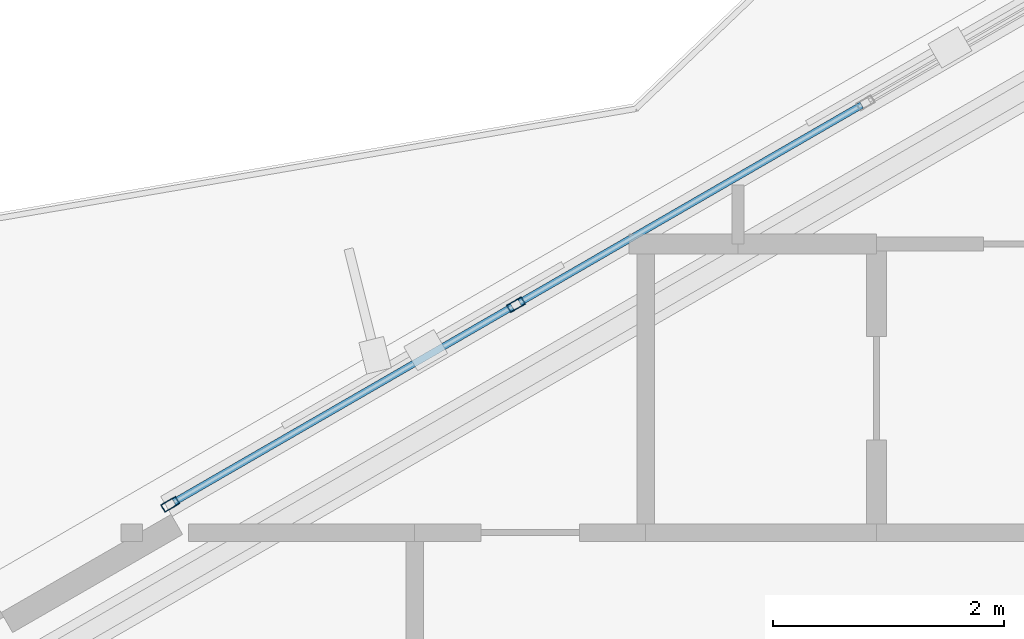
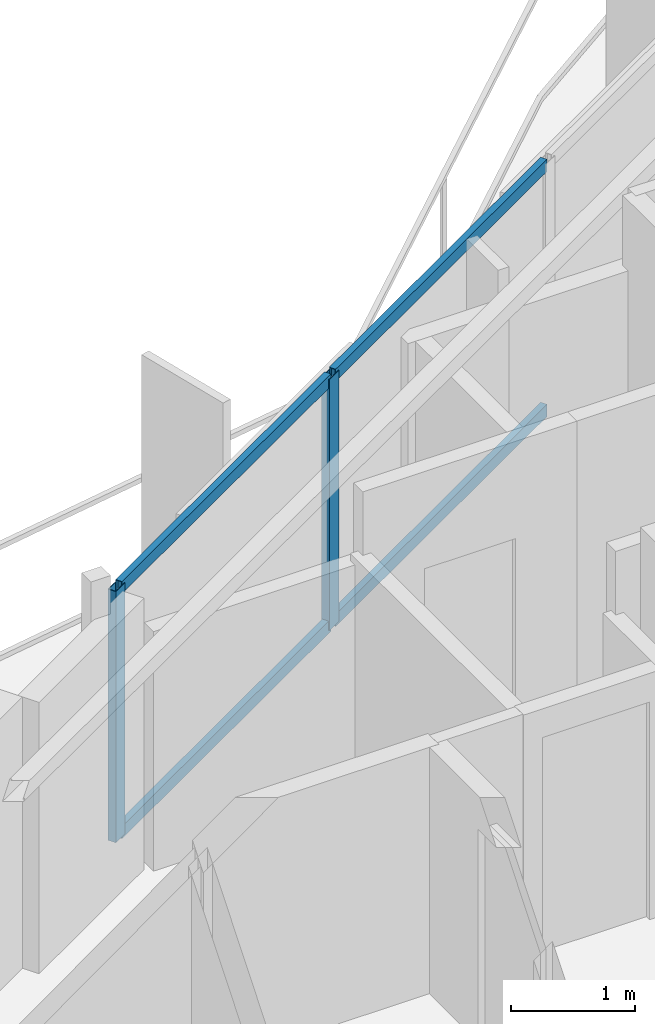
# One storey, part 5 of 18: 6 members, 1 element without a shape of its own.
"""IFC4 building model written with IfcOpenShell, lengths in metres."""

import ifcopenshell
import ifcopenshell.guid

model = None  # the IFC model being written
_history = None  # IfcOwnerHistory: only IFC2X3 demands one
_inside = {}  # id of a spatial element -> (the spatial element, [elements in it])
_under = {}  # id of a project, library or spatial element -> (it, [spatial elements below it])
_declared = {}  # id of a project -> (the project, [libraries it declares])
_typed = {}  # id of a type object -> (the type object, [elements of that type])
_made_of = {}  # id of a material, layer set ... -> (it, [elements and type objects made of it])


def new_model(schema):
    """Start an empty IFC model of exactly this schema.

    Asked for "IFC4X3", IfcOpenShell would pick the latest addendum, in which some entities
    have other attributes; the version numbers below select the first issue.
    IFC2X3 requires an IfcOwnerHistory on every rooted entity: one is made here for all.
    """
    global model, _history
    if schema == "IFC4X3":
        model = ifcopenshell.file(schema_version=(4, 3, 0, 0))
    else:
        model = ifcopenshell.file(schema=schema)
    _inside.clear()
    _under.clear()
    _declared.clear()
    _typed.clear()
    _made_of.clear()
    _history = None
    if model.schema == "IFC2X3":
        org = make("IfcOrganization", Name="unknown")
        user = make(
            "IfcPersonAndOrganization",
            ThePerson=make("IfcPerson", FamilyName="unknown"),
            TheOrganization=org,
        )
        app = make(
            "IfcApplication",
            ApplicationDeveloper=org,
            Version="unknown",
            ApplicationFullName="unknown",
            ApplicationIdentifier="unknown",
        )
        _history = make(
            "IfcOwnerHistory",
            OwningUser=user,
            OwningApplication=app,
            ChangeAction="ADDED",
            CreationDate=0,
        )
    return model


def make(cls, **values):
    """One entity of the class cls with the attributes given. An attribute that is None is left unset."""
    return model.create_entity(
        cls, **{name: value for name, value in values.items() if value is not None}
    )


def rooted(cls, **values):
    """An entity with a GlobalId (a new one), such as an element, a storey or a relation."""
    return make(cls, GlobalId=ifcopenshell.guid.new(), OwnerHistory=_history, **values)


def si_unit(unit_type, name, prefix=None):
    """IfcSIUnit, for example si_unit("LENGTHUNIT", "METRE", prefix="MILLI")."""
    return make("IfcSIUnit", UnitType=unit_type, Prefix=prefix, Name=name)


def assignment(units):
    """IfcUnitAssignment: the units of a project."""
    return None if units is None else make("IfcUnitAssignment", Units=units)


def point(xyz):
    """IfcCartesianPoint."""
    return None if xyz is None else make("IfcCartesianPoint", Coordinates=xyz)


def direction(xyz):
    """IfcDirection."""
    return None if xyz is None else make("IfcDirection", DirectionRatios=xyz)


def frame(location, z_axis=None, x_axis=None):
    """IfcAxis2Placement3D, a coordinate frame: its origin and axes. An axis left out is left unset."""
    return make(
        "IfcAxis2Placement3D",
        Location=point(location),
        Axis=direction(z_axis),
        RefDirection=direction(x_axis),
    )


def frame_2d(location, x_axis=None):
    """IfcAxis2Placement2D, a coordinate frame in the plane: its origin and x axis."""
    return make(
        "IfcAxis2Placement2D", Location=point(location), RefDirection=direction(x_axis)
    )


def origin():
    """The frame at (0, 0, 0) with its axes left unset."""
    return frame((0.0, 0.0, 0.0))


def origin_2d():
    """The frame at (0, 0) in the plane with its x axis left unset."""
    return frame_2d((0.0, 0.0))


def place(relative_to, where):
    """IfcLocalPlacement: puts the frame where relative to a parent placement (None: the world)."""
    return make(
        "IfcLocalPlacement", PlacementRelTo=relative_to, RelativePlacement=where
    )


def context(
    kind, dimensions, precision=None, world=None, true_north=None, identifier=None
):
    """IfcGeometricRepresentationContext, for example the 3D "Model" context."""
    return make(
        "IfcGeometricRepresentationContext",
        ContextIdentifier=identifier,
        ContextType=kind,
        CoordinateSpaceDimension=dimensions,
        Precision=precision,
        WorldCoordinateSystem=world,
        TrueNorth=true_north,
    )


def subcontext(parent, identifier, kind, view, scale=None):
    """IfcGeometricRepresentationSubContext, for example "Body" below "Model"."""
    return make(
        "IfcGeometricRepresentationSubContext",
        ContextIdentifier=identifier,
        ContextType=kind,
        ParentContext=parent,
        TargetScale=scale,
        TargetView=view,
    )


def project(units=None, contexts=None):
    """IfcProject with its units and contexts."""
    return rooted(
        "IfcProject",
        Name="project",
        RepresentationContexts=contexts,
        UnitsInContext=assignment(units),
    )


def spatial(cls, under=None, at=None, **own):
    """A site, building, storey or space (cls), placed at a placement, below another one or the project."""
    s = rooted(cls, ObjectPlacement=at, **own)
    if under is not None:
        _under.setdefault(under.id(), (under, []))[1].append(s)
    return s


def profile(cls, at=None, kind="AREA", **sizes):
    """A parametric profile (cls). Its sizes go by their IFC names, for example OverallWidth=200.0."""
    return make(cls, ProfileType=kind, Position=at, **sizes)


def hollow_rectangle(**sizes):
    """IfcRectangleHollowProfileDef."""
    return profile("IfcRectangleHollowProfileDef", **sizes)


def extrude(swept, where, along, depth):
    """IfcExtrudedAreaSolid: the profile swept, set in the frame where, extruded along a direction by depth."""
    return make(
        "IfcExtrudedAreaSolid",
        SweptArea=swept,
        Position=where,
        ExtrudedDirection=direction(along),
        Depth=depth,
    )


def shape(context_of_items, identifier, shape_type, items):
    """IfcShapeRepresentation: the items that make up one representation, for example the "Body"."""
    return make(
        "IfcShapeRepresentation",
        ContextOfItems=context_of_items,
        RepresentationIdentifier=identifier,
        RepresentationType=shape_type,
        Items=items,
    )


def material(Name=None, Category=None):
    """IfcMaterial."""
    return make("IfcMaterial", Name=Name, Category=Category)


def layer(
    of_material, thickness, ventilated=None, Name=None, Category=None, Priority=None
):
    """IfcMaterialLayer: one layer of a wall or slab, of a material (None: an air gap)."""
    return make(
        "IfcMaterialLayer",
        Material=of_material,
        LayerThickness=thickness,
        IsVentilated=ventilated,
        Name=Name,
        Category=Category,
        Priority=Priority,
    )


def layer_set(layers, Name=None):
    """IfcMaterialLayerSet."""
    return make("IfcMaterialLayerSet", MaterialLayers=layers, LayerSetName=Name)


def material_profile(
    of_material, cross_section, Name=None, Category=None, Priority=None
):
    """IfcMaterialProfile: a cross section and its material."""
    return make(
        "IfcMaterialProfile",
        Name=Name,
        Material=of_material,
        Profile=cross_section,
        Priority=Priority,
        Category=Category,
    )


def profile_set(profiles, Name=None, composite=None):
    """IfcMaterialProfileSet."""
    return make(
        "IfcMaterialProfileSet",
        Name=Name,
        MaterialProfiles=profiles,
        CompositeProfile=composite,
    )


def made_of(thing, what):
    """Note that an element or type object is made of a material, layer set ...; save() writes the relation."""
    if what is not None:
        _made_of.setdefault(what.id(), (what, []))[1].append(thing)
    return thing


def type_object(cls, material=None, **own):
    """A type object (cls), such as IfcWallType, which elements share."""
    return made_of(rooted(cls, **own), material)


def element(
    cls,
    number,
    at=None,
    inside=None,
    cuts=None,
    type_object=None,
    material=None,
    context=None,
    identifier="Body",
    shape_type=None,
    held_by="IfcProductDefinitionShape",
    body=None,
    shapes=None,
    **own,
):
    """One element of the class cls, such as IfcWall. Its Tag is "e" and its number.

    at: its placement. inside: the storey or other place that contains it. cuts: it is an
    opening in that element (IfcRelVoidsElement). A single representation is given by context,
    identifier, shape_type and body (its items); several are given by shapes. held_by: the class
    of the entity that holds the representations. save() writes the other relations.
    """
    e = rooted(cls, Tag="e%d" % number, ObjectPlacement=at, **own)
    if body is not None:
        shapes = [shape(context, identifier, shape_type, body)]
    if shapes is not None:
        e.Representation = make(held_by, Representations=shapes)
    if inside is not None:
        _inside.setdefault(inside.id(), (inside, []))[1].append(e)
    if cuts is not None:
        rooted(
            "IfcRelVoidsElement", RelatingBuildingElement=cuts, RelatedOpeningElement=e
        )
    if type_object is not None:
        _typed.setdefault(type_object.id(), (type_object, []))[1].append(e)
    return made_of(e, material)


def aggregate(whole, parts):
    """IfcRelAggregates: a whole, such as a stair, and the parts it consists of."""
    return rooted("IfcRelAggregates", RelatingObject=whole, RelatedObjects=parts)


def save(model, path):
    """Write the relations noted so far, then the file.

    IfcRelAggregates (storeys below a building ...), IfcRelContainedInSpatialStructure (elements
    in a storey), IfcRelDefinesByType, IfcRelAssociatesMaterial and IfcRelDeclares: one each for
    every whole, place, type object, material and project.
    """
    for whole, parts in _under.values():
        aggregate(whole, parts)
    for where, things in _inside.values():
        rooted(
            "IfcRelContainedInSpatialStructure",
            RelatedElements=things,
            RelatingStructure=where,
        )
    for kind, things in _typed.values():
        rooted("IfcRelDefinesByType", RelatedObjects=things, RelatingType=kind)
    for what, things in _made_of.values():
        rooted("IfcRelAssociatesMaterial", RelatedObjects=things, RelatingMaterial=what)
    for by, libraries in _declared.values():
        rooted("IfcRelDeclares", RelatingContext=by, RelatedDefinitions=libraries)
    model.write(path)


model = new_model("IFC4")

# Units and contexts
model_context = context("Model", 3, precision=1e-05, world=origin(), true_north=direction((0.0, 1.0)))
body_context = subcontext(model_context, "Body", "Model", "MODEL_VIEW")
ifc_project = project(units=[si_unit("LENGTHUNIT", "METRE"), si_unit("AREAUNIT", "SQUARE_METRE"), si_unit("VOLUMEUNIT", "CUBIC_METRE"), si_unit("PLANEANGLEUNIT", "RADIAN"), si_unit("MASSUNIT", "GRAM", prefix="KILO")], contexts=[model_context])

# Site, building, storey
site_placement = place(None, origin())
site = spatial("IfcSite", under=ifc_project, at=site_placement, CompositionType="ELEMENT")
building_placement = place(site_placement, origin())
building = spatial("IfcBuilding", under=site, at=building_placement, Name="Mersakhor Tower and Convention Hall", CompositionType="ELEMENT")
storey_placement = place(building_placement, frame((0.0, 0.0, 134.39990234375)))
storey = spatial("IfcBuildingStorey", under=building, at=storey_placement, Name="L37", CompositionType="ELEMENT", Elevation=134.39990234375)

# Curtain wall, members
ifc_material_1 = material(Name="Dark solar low-E aluminium curtain wall", Category="aluminium")
ifc_layer = layer(ifc_material_1, 0.169921875)
ifc_layer_set = layer_set([ifc_layer], Name="Dark solar low-E aluminium curtain wall")
curtain_wall_type = type_object("IfcCurtainWallType", Name="CW-SYS-02", PredefinedType="USERDEFINED", material=ifc_layer_set)
curtain_wall_placement = place(storey_placement, origin())
curtain_wall = element("IfcCurtainWall", 1, at=curtain_wall_placement, inside=storey, type_object=curtain_wall_type, Name="L37 Dark-Glass Curtain Wall F1-B2", ObjectType="CURTAIN WALL", PredefinedType="USERDEFINED")
ifc_material_2 = material(Name="Anodised aluminium EN AW-6063 T6", Category="aluminium")
ifc_material_profile_1 = material_profile(ifc_material_2, hollow_rectangle(XDim=0.074951171875, YDim=0.14990234375, WallThickness=0.00634765625, at=origin_2d()), Name="RHS 150x75x6.3")
ifc_profile_set_1 = profile_set([ifc_material_profile_1], Name="Anodised aluminium EN AW-6063 T6")
member_type_1 = type_object("IfcMemberType", Name="CWM-150x75", PredefinedType="MULLION", material=ifc_profile_set_1)
member_1_placement = place(storey_placement, frame((17.88232421875, 35.595458984375, 0.2001953125), z_axis=(0.0, 0.0, 1.0), x_axis=(-0.499990468363, 0.866030906807, 0.0)))
member_1 = element("IfcMember", 2, at=member_1_placement, type_object=member_type_1, Name="CW-02 mullion 1", PredefinedType="MULLION", context=body_context, shape_type="SweptSolid", body=[
    extrude(hollow_rectangle(XDim=0.074951171875, YDim=0.14990234375, WallThickness=0.00634765625, at=origin_2d()), origin(), (0.0, 0.0, 1.0), 2.47998046875),
])
member_2_placement = place(storey_placement, frame((20.876953125, 37.32421875, 0.2001953125), z_axis=(0.0, 0.0, 1.0), x_axis=(-0.499990468363, 0.866030906807, 0.0)))
member_2 = element("IfcMember", 3, at=member_2_placement, type_object=member_type_1, Name="CW-02 mullion 2", PredefinedType="MULLION", context=body_context, shape_type="SweptSolid", body=[
    extrude(hollow_rectangle(XDim=0.074951171875, YDim=0.14990234375, WallThickness=0.00634765625, at=origin_2d()), origin(), (0.0, 0.0, 1.0), 2.47998046875),
])
ifc_material_3 = material(Name="Anodised aluminium EN AW-6063 T6", Category="aluminium")
ifc_material_profile_2 = material_profile(ifc_material_3, hollow_rectangle(XDim=0.06005859375, YDim=0.1201171875, WallThickness=0.0048828125, at=origin_2d()), Name="RHS 120x60x5")
ifc_profile_set_2 = profile_set([ifc_material_profile_2], Name="Anodised aluminium EN AW-6063 T6")
member_type_2 = type_object("IfcMemberType", Name="CWT-120x60", PredefinedType="USERDEFINED", material=ifc_profile_set_2)
member_3_placement = place(storey_placement, frame((17.914794921875, 35.6142578125, 0.22998046875), z_axis=(0.866031754707, 0.499988999718, 0.0), x_axis=(-0.499988999718, 0.866031754707, 0.0)))
member_3 = element("IfcMember", 4, at=member_3_placement, type_object=member_type_2, Name="CW-02 transom 1.1", ObjectType="TRANSOM", PredefinedType="USERDEFINED", context=body_context, shape_type="SweptSolid", body=[
    extrude(hollow_rectangle(XDim=0.06005859375, YDim=0.1201171875, WallThickness=0.0048828125, at=origin_2d()), origin(), (0.0, 0.0, 1.0), 3.3828125),
])
member_4_placement = place(storey_placement, frame((17.914794921875, 35.6142578125, 2.650146484375), z_axis=(0.866031754707, 0.499988999718, 0.0), x_axis=(-0.499988999718, 0.866031754707, 0.0)))
member_4 = element("IfcMember", 5, at=member_4_placement, type_object=member_type_2, Name="CW-02 transom 1.2", ObjectType="TRANSOM", PredefinedType="USERDEFINED", context=body_context, shape_type="SweptSolid", body=[
    extrude(hollow_rectangle(XDim=0.06005859375, YDim=0.1201171875, WallThickness=0.0048828125, at=origin_2d()), origin(), (0.0, 0.0, 1.0), 3.3828125),
])
member_5_placement = place(storey_placement, frame((20.909423828125, 37.343017578125, 0.22998046875), z_axis=(0.866007273829, 0.50003140069, 0.0), x_axis=(-0.50003140069, 0.866007273829, 0.0)))
member_5 = element("IfcMember", 6, at=member_5_placement, type_object=member_type_2, Name="CW-02 transom 2.1", ObjectType="TRANSOM", PredefinedType="USERDEFINED", context=body_context, shape_type="SweptSolid", body=[
    extrude(hollow_rectangle(XDim=0.06005859375, YDim=0.1201171875, WallThickness=0.0048828125, at=origin_2d()), origin(), (0.0, 0.0, 1.0), 3.420166015625),
])
member_6_placement = place(storey_placement, frame((20.909423828125, 37.343017578125, 2.650146484375), z_axis=(0.866007273829, 0.50003140069, 0.0), x_axis=(-0.50003140069, 0.866007273829, 0.0)))
member_6 = element("IfcMember", 7, at=member_6_placement, type_object=member_type_2, Name="CW-02 transom 2.2", ObjectType="TRANSOM", PredefinedType="USERDEFINED", context=body_context, shape_type="SweptSolid", body=[
    extrude(hollow_rectangle(XDim=0.06005859375, YDim=0.1201171875, WallThickness=0.0048828125, at=origin_2d()), origin(), (0.0, 0.0, 1.0), 3.420166015625),
])
aggregate(curtain_wall, [member_1, member_2, member_3, member_4, member_5, member_6])

save(model, "model.ifc")
